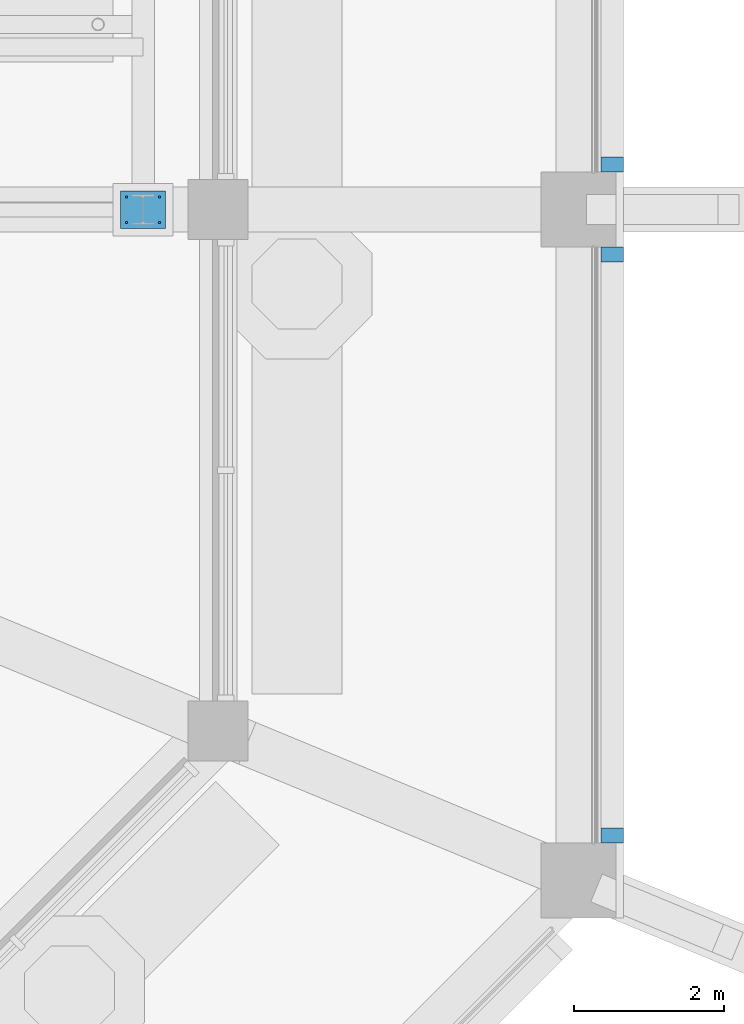
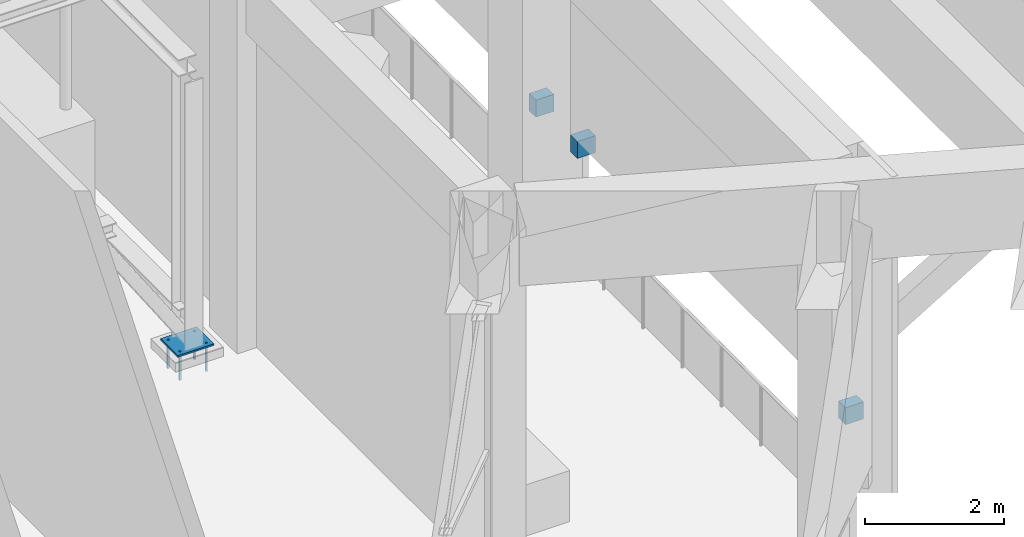
# One storey, part 22 of 29: 8 discrete accessories.
"""IFC4 building model written with IfcOpenShell, lengths in metres."""

from ifc_helpers import new_model, si_unit, direction, frame, origin, origin_2d, place, context, subcontext, project, spatial, rectangle, extrude, material, layer, layer_set, type_object, element, save


model = new_model("IFC4")

# Units and contexts
model_context = context("Model", 3, precision=1e-05, world=origin(), true_north=direction((0.0, 1.0)))
body_context = subcontext(model_context, "Body", "Model", "MODEL_VIEW")
ifc_project = project(units=[si_unit("LENGTHUNIT", "METRE"), si_unit("AREAUNIT", "SQUARE_METRE"), si_unit("VOLUMEUNIT", "CUBIC_METRE"), si_unit("PLANEANGLEUNIT", "RADIAN"), si_unit("MASSUNIT", "GRAM", prefix="KILO")], contexts=[model_context])

# Site, building, storey
site_placement = place(None, origin())
site = spatial("IfcSite", under=ifc_project, at=site_placement, CompositionType="ELEMENT")
building_placement = place(site_placement, origin())
building = spatial("IfcBuilding", under=site, at=building_placement, Name="Msitu Wima Residences", CompositionType="ELEMENT")
storey_placement = place(building_placement, frame((0.0, 0.0, 320.10009765625)))
storey = spatial("IfcBuildingStorey", under=building, at=storey_placement, Name="L74", CompositionType="ELEMENT", Elevation=320.10009765625)

# Discrete accessories
ifc_material_1 = material(Name="Steel S355", Category="steel")
discrete_accessory_type_1 = type_object("IfcDiscreteAccessoryType", Name="Damper anchor bolt AB1", PredefinedType="USERDEFINED", material=ifc_material_1)
for number, where, z_axis, x_axis, name in (
    (1, (20.3798828125, -4.638671875, -0.30517578125), (0.0, 0.0, 1.0), (1.0, 0.0, 0.0), "Anchor bolt E3.1"),
    (2, (20.820068359375, -4.638671875, -0.30517578125), (0.0, 0.0, 1.0), (1.0, 0.0, 0.0), "Anchor bolt E3.2"),
    (3, (20.820068359375, -4.298583984375, -0.30517578125), (0.0, 0.0, 1.0), (1.0, 0.0, 0.0), "Anchor bolt E3.3"),
    (4, (20.3798828125, -4.298583984375, -0.30517578125), (0.0, 0.0, 1.0), (1.0, 0.0, 0.0), "Anchor bolt E3.4"),
):
    element("IfcDiscreteAccessory", number, at=place(storey_placement, frame(where, z_axis=z_axis, x_axis=x_axis)), inside=storey, type_object=discrete_accessory_type_1, Name=name, ObjectType="ANCHOR BOLT", PredefinedType="USERDEFINED", context=body_context, shape_type="SweptSolid", body=[
        extrude(rectangle(XDim=0.030029296875, YDim=0.030029296875, at=origin_2d()), origin(), (0.0, 0.0, 1.0), 0.5),
    ])
ifc_layer = layer(ifc_material_1, 0.030029296875)
ifc_layer_set = layer_set([ifc_layer], Name="Steel S355")
discrete_accessory_type_2 = type_object("IfcDiscreteAccessoryType", Name="Damper base plate BP1", PredefinedType="USERDEFINED", material=ifc_layer_set)
discrete_accessory_placement = place(storey_placement, frame((20.60009765625, -4.46875, 0.1650390625), z_axis=(0.0, 0.0, 1.0), x_axis=(1.0, 0.0, 0.0)))
element("IfcDiscreteAccessory", 5, at=discrete_accessory_placement, inside=storey, type_object=discrete_accessory_type_2, Name="Base plate E3", ObjectType="BASE PLATE", PredefinedType="USERDEFINED", context=body_context, shape_type="SweptSolid", body=[
    extrude(rectangle(XDim=0.60009765625, YDim=0.5, at=origin_2d()), origin(), (0.0, 0.0, 1.0), 0.030029296875),
])
ifc_material_2 = material(Name="Steel S355, galvanised", Category="steel")
discrete_accessory_type_3 = type_object("IfcDiscreteAccessoryType", Name="Screen support bracket SB200", PredefinedType="BRACKET", material=ifc_material_2)
for number, where, z_axis, x_axis, name in (
    (6, (26.85009765625, -12.805908203125, 1.69970703125), (0.0, 0.0, 1.0), (0.0, 1.0, 0.0), "Screen support bracket E0A"),
    (7, (26.85009765625, -5.068603515625, 1.69970703125), (0.0, 0.0, 1.0), (0.0, 1.0, 0.0), "Screen support bracket E0B"),
    (8, (26.85009765625, -3.86865234375, 1.69970703125), (0.0, 0.0, 1.0), (0.0, 1.0, 0.0), "Screen support bracket E1A"),
):
    element("IfcDiscreteAccessory", number, at=place(storey_placement, frame(where, z_axis=z_axis, x_axis=x_axis)), inside=storey, type_object=discrete_accessory_type_3, Name=name, PredefinedType="BRACKET", context=body_context, shape_type="SweptSolid", body=[
        extrude(rectangle(XDim=0.199951171875, YDim=0.300048828125, at=origin_2d()), origin(), (0.0, 0.0, 1.0), 0.300048828125),
    ])

save(model, "model.ifc")
